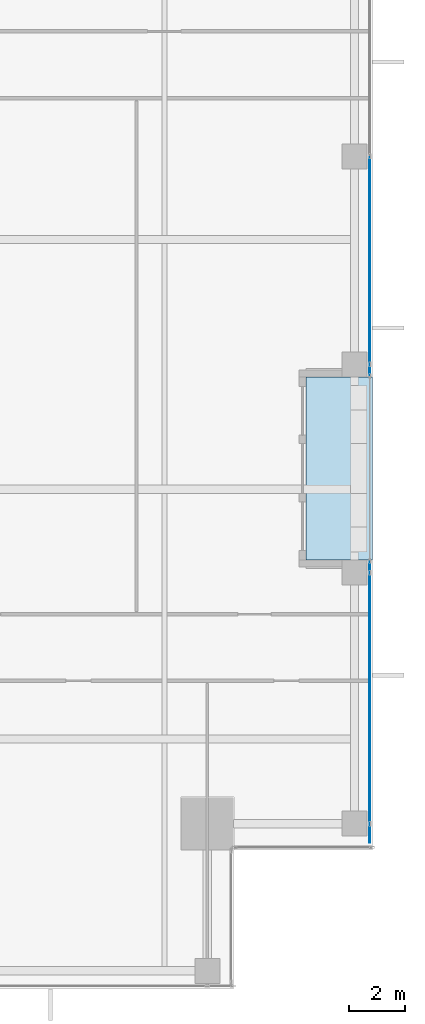
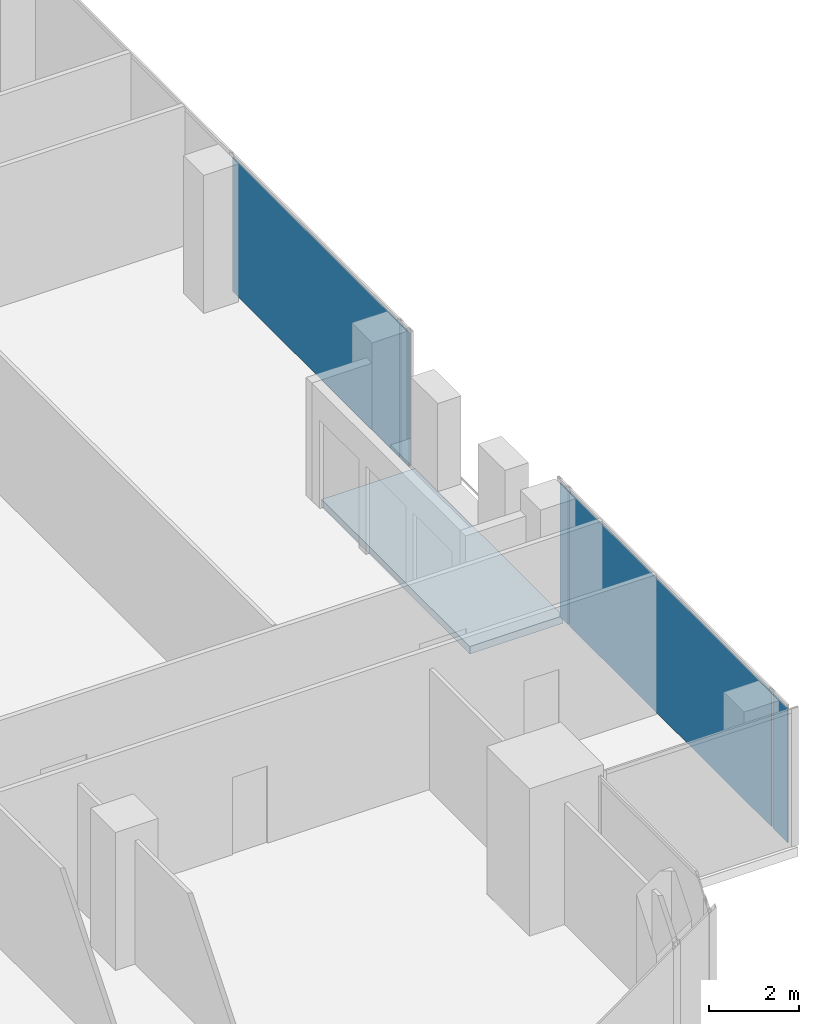
# One storey, part 28 of 36: 5 plates, 1 slab, 2 elements without a shape of their own.
"""IFC4 building model written with IfcOpenShell, lengths in metres."""

import ifcopenshell
import ifcopenshell.guid

model = None  # the IFC model being written
_history = None  # IfcOwnerHistory: only IFC2X3 demands one
_inside = {}  # id of a spatial element -> (the spatial element, [elements in it])
_under = {}  # id of a project, library or spatial element -> (it, [spatial elements below it])
_declared = {}  # id of a project -> (the project, [libraries it declares])
_typed = {}  # id of a type object -> (the type object, [elements of that type])
_made_of = {}  # id of a material, layer set ... -> (it, [elements and type objects made of it])


def new_model(schema):
    """Start an empty IFC model of exactly this schema.

    Asked for "IFC4X3", IfcOpenShell would pick the latest addendum, in which some entities
    have other attributes; the version numbers below select the first issue.
    IFC2X3 requires an IfcOwnerHistory on every rooted entity: one is made here for all.
    """
    global model, _history
    if schema == "IFC4X3":
        model = ifcopenshell.file(schema_version=(4, 3, 0, 0))
    else:
        model = ifcopenshell.file(schema=schema)
    _inside.clear()
    _under.clear()
    _declared.clear()
    _typed.clear()
    _made_of.clear()
    _history = None
    if model.schema == "IFC2X3":
        org = make("IfcOrganization", Name="unknown")
        user = make(
            "IfcPersonAndOrganization",
            ThePerson=make("IfcPerson", FamilyName="unknown"),
            TheOrganization=org,
        )
        app = make(
            "IfcApplication",
            ApplicationDeveloper=org,
            Version="unknown",
            ApplicationFullName="unknown",
            ApplicationIdentifier="unknown",
        )
        _history = make(
            "IfcOwnerHistory",
            OwningUser=user,
            OwningApplication=app,
            ChangeAction="ADDED",
            CreationDate=0,
        )
    return model


def make(cls, **values):
    """One entity of the class cls with the attributes given. An attribute that is None is left unset."""
    return model.create_entity(
        cls, **{name: value for name, value in values.items() if value is not None}
    )


def rooted(cls, **values):
    """An entity with a GlobalId (a new one), such as an element, a storey or a relation."""
    return make(cls, GlobalId=ifcopenshell.guid.new(), OwnerHistory=_history, **values)


def si_unit(unit_type, name, prefix=None):
    """IfcSIUnit, for example si_unit("LENGTHUNIT", "METRE", prefix="MILLI")."""
    return make("IfcSIUnit", UnitType=unit_type, Prefix=prefix, Name=name)


def assignment(units):
    """IfcUnitAssignment: the units of a project."""
    return None if units is None else make("IfcUnitAssignment", Units=units)


def point(xyz):
    """IfcCartesianPoint."""
    return None if xyz is None else make("IfcCartesianPoint", Coordinates=xyz)


def direction(xyz):
    """IfcDirection."""
    return None if xyz is None else make("IfcDirection", DirectionRatios=xyz)


def frame(location, z_axis=None, x_axis=None):
    """IfcAxis2Placement3D, a coordinate frame: its origin and axes. An axis left out is left unset."""
    return make(
        "IfcAxis2Placement3D",
        Location=point(location),
        Axis=direction(z_axis),
        RefDirection=direction(x_axis),
    )


def frame_2d(location, x_axis=None):
    """IfcAxis2Placement2D, a coordinate frame in the plane: its origin and x axis."""
    return make(
        "IfcAxis2Placement2D", Location=point(location), RefDirection=direction(x_axis)
    )


def origin():
    """The frame at (0, 0, 0) with its axes left unset."""
    return frame((0.0, 0.0, 0.0))


def origin_2d():
    """The frame at (0, 0) in the plane with its x axis left unset."""
    return frame_2d((0.0, 0.0))


def place(relative_to, where):
    """IfcLocalPlacement: puts the frame where relative to a parent placement (None: the world)."""
    return make(
        "IfcLocalPlacement", PlacementRelTo=relative_to, RelativePlacement=where
    )


def context(
    kind, dimensions, precision=None, world=None, true_north=None, identifier=None
):
    """IfcGeometricRepresentationContext, for example the 3D "Model" context."""
    return make(
        "IfcGeometricRepresentationContext",
        ContextIdentifier=identifier,
        ContextType=kind,
        CoordinateSpaceDimension=dimensions,
        Precision=precision,
        WorldCoordinateSystem=world,
        TrueNorth=true_north,
    )


def subcontext(parent, identifier, kind, view, scale=None):
    """IfcGeometricRepresentationSubContext, for example "Body" below "Model"."""
    return make(
        "IfcGeometricRepresentationSubContext",
        ContextIdentifier=identifier,
        ContextType=kind,
        ParentContext=parent,
        TargetScale=scale,
        TargetView=view,
    )


def project(units=None, contexts=None):
    """IfcProject with its units and contexts."""
    return rooted(
        "IfcProject",
        Name="project",
        RepresentationContexts=contexts,
        UnitsInContext=assignment(units),
    )


def spatial(cls, under=None, at=None, **own):
    """A site, building, storey or space (cls), placed at a placement, below another one or the project."""
    s = rooted(cls, ObjectPlacement=at, **own)
    if under is not None:
        _under.setdefault(under.id(), (under, []))[1].append(s)
    return s


def polyline(points):
    """IfcPolyline through the points."""
    return make("IfcPolyline", Points=[point(p) for p in points])


def profile(cls, at=None, kind="AREA", **sizes):
    """A parametric profile (cls). Its sizes go by their IFC names, for example OverallWidth=200.0."""
    return make(cls, ProfileType=kind, Position=at, **sizes)


def rectangle(**sizes):
    """IfcRectangleProfileDef."""
    return profile("IfcRectangleProfileDef", **sizes)


def outline(outer, holes=None, kind="AREA"):
    """IfcArbitraryClosedProfileDef: a profile drawn as a closed curve; with holes, ...WithVoids."""
    if holes is None:
        return make("IfcArbitraryClosedProfileDef", ProfileType=kind, OuterCurve=outer)
    return make(
        "IfcArbitraryProfileDefWithVoids",
        ProfileType=kind,
        OuterCurve=outer,
        InnerCurves=holes,
    )


def extrude(swept, where, along, depth):
    """IfcExtrudedAreaSolid: the profile swept, set in the frame where, extruded along a direction by depth."""
    return make(
        "IfcExtrudedAreaSolid",
        SweptArea=swept,
        Position=where,
        ExtrudedDirection=direction(along),
        Depth=depth,
    )


def shape(context_of_items, identifier, shape_type, items):
    """IfcShapeRepresentation: the items that make up one representation, for example the "Body"."""
    return make(
        "IfcShapeRepresentation",
        ContextOfItems=context_of_items,
        RepresentationIdentifier=identifier,
        RepresentationType=shape_type,
        Items=items,
    )


def source(mapping_origin, context_of_items, identifier, shape_type, items):
    """IfcRepresentationMap: a shape defined once, which mapped items show again and again."""
    return make(
        "IfcRepresentationMap",
        MappingOrigin=mapping_origin,
        MappedRepresentation=shape(context_of_items, identifier, shape_type, items),
    )


def transform(
    local_origin,
    x_axis=None,
    y_axis=None,
    z_axis=None,
    scale=None,
    scale2=None,
    scale3=None,
    uniform=True,
):
    """IfcCartesianTransformationOperator3D, or its non-uniform kind. x_axis, y_axis, z_axis: its Axis1, 2, 3."""
    if uniform:
        return make(
            "IfcCartesianTransformationOperator3D",
            Axis1=direction(x_axis),
            Axis2=direction(y_axis),
            LocalOrigin=point(local_origin),
            Scale=scale,
            Axis3=direction(z_axis),
        )
    return make(
        "IfcCartesianTransformationOperator3DnonUniform",
        Axis1=direction(x_axis),
        Axis2=direction(y_axis),
        LocalOrigin=point(local_origin),
        Scale=scale,
        Axis3=direction(z_axis),
        Scale2=scale2,
        Scale3=scale3,
    )


def mapped(mapping_source, mapping_target):
    """IfcMappedItem: shows the shape of a source again, moved by a transform."""
    return make(
        "IfcMappedItem", MappingSource=mapping_source, MappingTarget=mapping_target
    )


def material(Name=None, Category=None):
    """IfcMaterial."""
    return make("IfcMaterial", Name=Name, Category=Category)


def layer(
    of_material, thickness, ventilated=None, Name=None, Category=None, Priority=None
):
    """IfcMaterialLayer: one layer of a wall or slab, of a material (None: an air gap)."""
    return make(
        "IfcMaterialLayer",
        Material=of_material,
        LayerThickness=thickness,
        IsVentilated=ventilated,
        Name=Name,
        Category=Category,
        Priority=Priority,
    )


def layer_set(layers, Name=None):
    """IfcMaterialLayerSet."""
    return make("IfcMaterialLayerSet", MaterialLayers=layers, LayerSetName=Name)


def made_of(thing, what):
    """Note that an element or type object is made of a material, layer set ...; save() writes the relation."""
    if what is not None:
        _made_of.setdefault(what.id(), (what, []))[1].append(thing)
    return thing


def type_object(cls, material=None, **own):
    """A type object (cls), such as IfcWallType, which elements share."""
    return made_of(rooted(cls, **own), material)


def element(
    cls,
    number,
    at=None,
    inside=None,
    cuts=None,
    type_object=None,
    material=None,
    context=None,
    identifier="Body",
    shape_type=None,
    held_by="IfcProductDefinitionShape",
    body=None,
    shapes=None,
    **own,
):
    """One element of the class cls, such as IfcWall. Its Tag is "e" and its number.

    at: its placement. inside: the storey or other place that contains it. cuts: it is an
    opening in that element (IfcRelVoidsElement). A single representation is given by context,
    identifier, shape_type and body (its items); several are given by shapes. held_by: the class
    of the entity that holds the representations. save() writes the other relations.
    """
    e = rooted(cls, Tag="e%d" % number, ObjectPlacement=at, **own)
    if body is not None:
        shapes = [shape(context, identifier, shape_type, body)]
    if shapes is not None:
        e.Representation = make(held_by, Representations=shapes)
    if inside is not None:
        _inside.setdefault(inside.id(), (inside, []))[1].append(e)
    if cuts is not None:
        rooted(
            "IfcRelVoidsElement", RelatingBuildingElement=cuts, RelatedOpeningElement=e
        )
    if type_object is not None:
        _typed.setdefault(type_object.id(), (type_object, []))[1].append(e)
    return made_of(e, material)


def aggregate(whole, parts):
    """IfcRelAggregates: a whole, such as a stair, and the parts it consists of."""
    return rooted("IfcRelAggregates", RelatingObject=whole, RelatedObjects=parts)


def save(model, path):
    """Write the relations noted so far, then the file.

    IfcRelAggregates (storeys below a building ...), IfcRelContainedInSpatialStructure (elements
    in a storey), IfcRelDefinesByType, IfcRelAssociatesMaterial and IfcRelDeclares: one each for
    every whole, place, type object, material and project.
    """
    for whole, parts in _under.values():
        aggregate(whole, parts)
    for where, things in _inside.values():
        rooted(
            "IfcRelContainedInSpatialStructure",
            RelatedElements=things,
            RelatingStructure=where,
        )
    for kind, things in _typed.values():
        rooted("IfcRelDefinesByType", RelatedObjects=things, RelatingType=kind)
    for what, things in _made_of.values():
        rooted("IfcRelAssociatesMaterial", RelatedObjects=things, RelatingMaterial=what)
    for by, libraries in _declared.values():
        rooted("IfcRelDeclares", RelatingContext=by, RelatedDefinitions=libraries)
    model.write(path)


model = new_model("IFC4")

# Units and contexts
model_context = context("Model", 3, precision=1e-05, world=origin(), true_north=direction((0.0, 1.0)))
body_context = subcontext(model_context, "Body", "Model", "MODEL_VIEW")
ifc_project = project(units=[si_unit("LENGTHUNIT", "METRE"), si_unit("AREAUNIT", "SQUARE_METRE"), si_unit("VOLUMEUNIT", "CUBIC_METRE"), si_unit("PLANEANGLEUNIT", "RADIAN"), si_unit("MASSUNIT", "GRAM", prefix="KILO")], contexts=[model_context])

# Site, building, storey
site_placement = place(None, origin())
site = spatial("IfcSite", under=ifc_project, at=site_placement, CompositionType="ELEMENT")
building_placement = place(site_placement, origin())
building = spatial("IfcBuilding", under=site, at=building_placement, Name="Khomas Fold Tower", CompositionType="ELEMENT")
storey_placement = place(building_placement, frame((0.0, 0.0, 226.199951171875)))
storey = spatial("IfcBuildingStorey", under=building, at=storey_placement, Name="L50", CompositionType="ELEMENT", Elevation=226.199951171875)

# Curtain wall, plate
ifc_material_1 = material(Name="Aluminium framed double glazing", Category="aluminium")
curtain_wall_type = type_object("IfcCurtainWallType", Name="SK-Unitised clear-glass wall, office floors CW2", PredefinedType="NOTDEFINED", material=ifc_material_1)
curtain_wall_1_placement = place(storey_placement, origin())
curtain_wall_1 = element("IfcCurtainWall", 1, at=curtain_wall_1_placement, inside=storey, type_object=curtain_wall_type, Name="CW2 run L50 03-0", PredefinedType="NOTDEFINED")
ifc_material_2 = material(Name="Clear double glazed unit")
ifc_layer_1 = layer(ifc_material_2, 0.030029296875)
ifc_layer_set_1 = layer_set([ifc_layer_1], Name="Clear double glazed unit")
plate_type = type_object("IfcPlateType", Name="SK-Unitised clear-glass wall, office floors glass panel CW2-P", PredefinedType="CURTAIN_PANEL", material=ifc_layer_set_1)
shared_shape_1 = source(origin(), body_context, "Body", "SweptSolid", [
    extrude(rectangle(XDim=0.659912109375, YDim=0.030029296875, at=origin_2d()), origin(), (0.0, 0.0, 1.0), 3.639892578125),
])
plate_1_placement = place(storey_placement, frame((49.39990234375, 10.090087890625, 0.0), z_axis=(0.0, 0.0, 1.0), x_axis=(0.0, 1.0, 0.0)))
plate_1 = element("IfcPlate", 2, at=plate_1_placement, type_object=plate_type, Name="CW2 glass panel 1", PredefinedType="CURTAIN_PANEL", context=body_context, shape_type="MappedRepresentation", body=[
    mapped(shared_shape_1, transform((0.0, 0.0, 0.0))),
])

curtain_wall_2_placement = place(storey_placement, origin())
curtain_wall_2 = element("IfcCurtainWall", 3, at=curtain_wall_2_placement, inside=storey, type_object=curtain_wall_type, Name="CW2 run L50 03-1", PredefinedType="NOTDEFINED")
shared_shape_2 = source(origin(), body_context, "Body", "SweptSolid", [
    extrude(rectangle(XDim=7.43994140625, YDim=0.030029296875, at=origin_2d()), origin(), (0.0, 0.0, 1.0), 3.639892578125),
])
plate_2_placement = place(storey_placement, frame((49.39990234375, 30.75, 0.0), z_axis=(0.0, 0.0, 1.0), x_axis=(0.0, 1.0, 0.0)))
plate_2 = element("IfcPlate", 4, at=plate_2_placement, type_object=plate_type, Name="CW2 glass panel 2", PredefinedType="CURTAIN_PANEL", context=body_context, shape_type="MappedRepresentation", body=[
    mapped(shared_shape_2, transform((0.0, 0.0, 0.0))),
])

# Plate
shared_shape_3 = source(origin(), body_context, "Body", "SweptSolid", [
    extrude(rectangle(XDim=8.989990234375, YDim=0.030029296875, at=origin_2d()), origin(), (0.0, 0.0, 1.0), 3.639892578125),
])
plate_3_placement = place(storey_placement, frame((49.39990234375, 14.97509765625, 0.0), z_axis=(0.0, 0.0, 1.0), x_axis=(0.0, 1.0, 0.0)))
plate_3 = element("IfcPlate", 5, at=plate_3_placement, type_object=plate_type, Name="CW2 glass panel 2", PredefinedType="CURTAIN_PANEL", context=body_context, shape_type="MappedRepresentation", body=[
    mapped(shared_shape_3, transform((0.0, 0.0, 0.0))),
])

shared_shape_4 = source(origin(), body_context, "Body", "SweptSolid", [
    extrude(rectangle(XDim=0.360107421875, YDim=0.030029296875, at=origin_2d()), origin(), (0.0, 0.0, 1.0), 3.639892578125),
])
plate_4_placement = place(storey_placement, frame((49.39990234375, 19.7099609375, 0.0), z_axis=(0.0, 0.0, 1.0), x_axis=(0.0, 1.0, 0.0)))
plate_4 = element("IfcPlate", 6, at=plate_4_placement, type_object=plate_type, Name="CW2 glass panel 3", PredefinedType="CURTAIN_PANEL", context=body_context, shape_type="MappedRepresentation", body=[
    mapped(shared_shape_4, transform((0.0, 0.0, 0.0))),
])

aggregate(curtain_wall_1, [plate_1, plate_3, plate_4])

plate_5_placement = place(storey_placement, frame((49.39990234375, 26.7900390625, 0.0), z_axis=(0.0, 0.0, 1.0), x_axis=(0.0, 1.0, 0.0)))
plate_5 = element("IfcPlate", 7, at=plate_5_placement, type_object=plate_type, Name="CW2 glass panel 1", PredefinedType="CURTAIN_PANEL", context=body_context, shape_type="MappedRepresentation", body=[
    mapped(shared_shape_4, transform((0.0, 0.0, 0.0))),
])

aggregate(curtain_wall_2, [plate_5, plate_2])

# Slab
ifc_material_3 = material(Name="Concrete C40/50", Category="concrete")
ifc_layer_2 = layer(ifc_material_3, 0.205078125)
ifc_layer_set_2 = layer_set([ifc_layer_2], Name="Concrete C40/50")
slab_type = type_object("IfcSlabType", Name="BL-Balcony deck 205", PredefinedType="FLOOR", material=ifc_layer_set_2)
shared_shape_5 = source(origin(), body_context, "Body", "SweptSolid", [
    extrude(outline(polyline([(47.10009765625, 19.949951171875), (49.5, 19.949951171875), (49.5, 26.550048828125), (47.10009765625, 26.550048828125), (47.10009765625, 19.949951171875)])), origin(), (0.0, 0.0, 1.0), 0.205078125),
])
slab_placement = place(storey_placement, frame((0.0, 0.0, -0.25)))
element("IfcSlab", 8, at=slab_placement, inside=storey, type_object=slab_type, Name="Balcony deck BAL-L50-E2", PredefinedType="FLOOR", context=body_context, shape_type="MappedRepresentation", body=[
    mapped(shared_shape_5, transform((0.0, 0.0, 0.0))),
])

save(model, "model.ifc")
